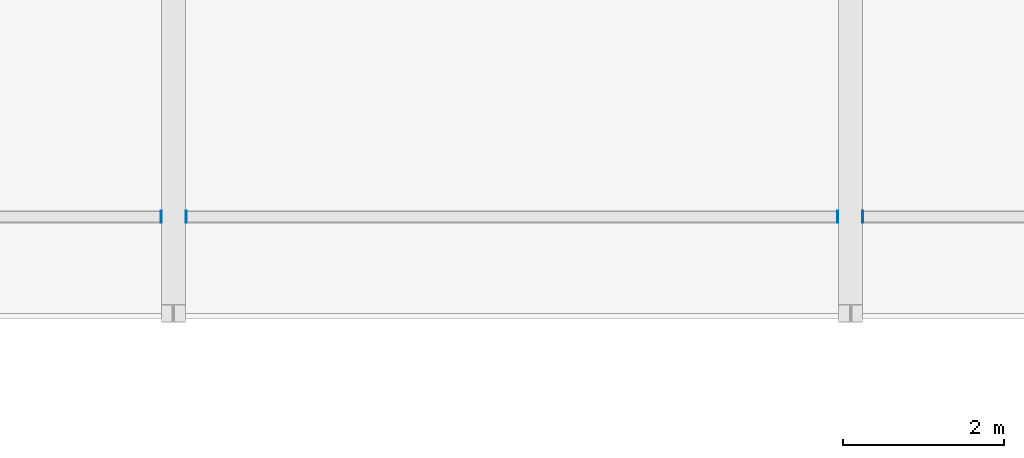
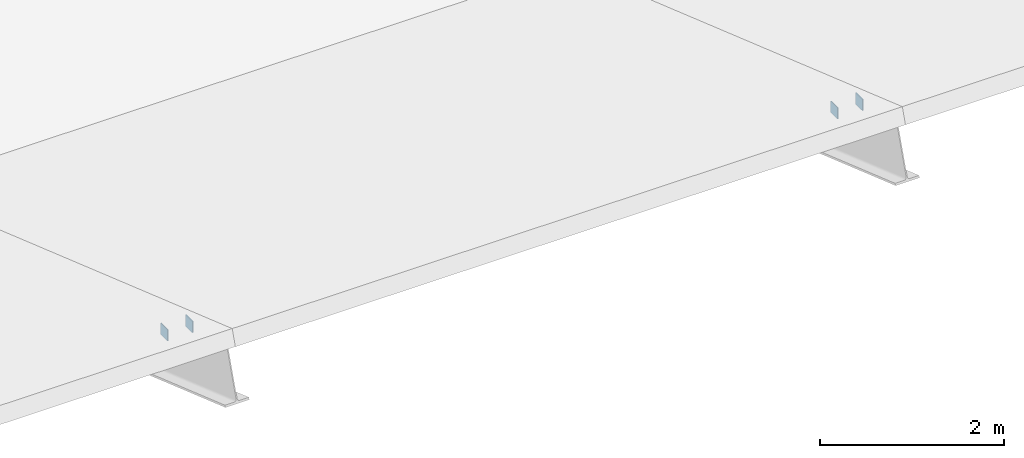
# One storey, part 98 of 110: 4 discrete accessories.
"""IFC4 building model written with IfcOpenShell, lengths in metres."""

from ifc_helpers import new_model, si_unit, direction, frame, origin, origin_2d, place, context, subcontext, project, spatial, rectangle, extrude, material, type_object, element, save


model = new_model("IFC4")

# Units and contexts
model_context = context("Model", 3, precision=1e-05, world=origin(), true_north=direction((0.0, 1.0)))
body_context = subcontext(model_context, "Body", "Model", "MODEL_VIEW")
ifc_project = project(units=[si_unit("LENGTHUNIT", "METRE"), si_unit("AREAUNIT", "SQUARE_METRE"), si_unit("VOLUMEUNIT", "CUBIC_METRE"), si_unit("PLANEANGLEUNIT", "RADIAN"), si_unit("MASSUNIT", "GRAM", prefix="KILO")], contexts=[model_context])

# Site, building, storey
site_placement = place(None, origin())
site = spatial("IfcSite", under=ifc_project, at=site_placement, CompositionType="ELEMENT")
building_placement = place(site_placement, origin())
building = spatial("IfcBuilding", under=site, at=building_placement, Name="Qawsi Khor Wholesale Market", CompositionType="ELEMENT")
storey_placement = place(building_placement, frame((0.0, 0.0, 11.39990234375)))
storey = spatial("IfcBuildingStorey", under=building, at=storey_placement, Name="L02", CompositionType="ELEMENT", Elevation=11.39990234375)

# Discrete accessories
ifc_material = material(Name="Steel S355", Category="steel")
discrete_accessory_type = type_object("IfcDiscreteAccessoryType", Name="Purlin End Cleat Plate 12 S355", PredefinedType="BRACKET", material=ifc_material)
for number, where, z_axis, x_axis, name in (
    (1, (92.243896484375, 93.60009765625, 2.658447265625), (0.0, 0.0, 1.0), (1.0, 0.0, 0.0), "Auction roof purlin 11-1 end cleat E"),
    (2, (92.555908203125, 93.60009765625, 2.658447265625), (0.0, 0.0, 1.0), (1.0, 0.0, 0.0), "Auction roof purlin 12-1 end cleat W"),
    (3, (100.64404296875, 93.60009765625, 2.658447265625), (0.0, 0.0, 1.0), (1.0, 0.0, 0.0), "Auction roof purlin 12-1 end cleat E"),
    (4, (100.9560546875, 93.60009765625, 2.658447265625), (0.0, 0.0, 1.0), (1.0, 0.0, 0.0), "Auction roof purlin 13-1 end cleat W"),
):
    element("IfcDiscreteAccessory", number, at=place(storey_placement, frame(where, z_axis=z_axis, x_axis=x_axis)), inside=storey, type_object=discrete_accessory_type, Name=name, PredefinedType="BRACKET", context=body_context, shape_type="SweptSolid", body=[
        extrude(rectangle(XDim=0.011962890625, YDim=0.14990234375, at=origin_2d()), origin(), (0.0, 0.0, 1.0), 0.14990234375),
    ])

save(model, "model.ifc")
